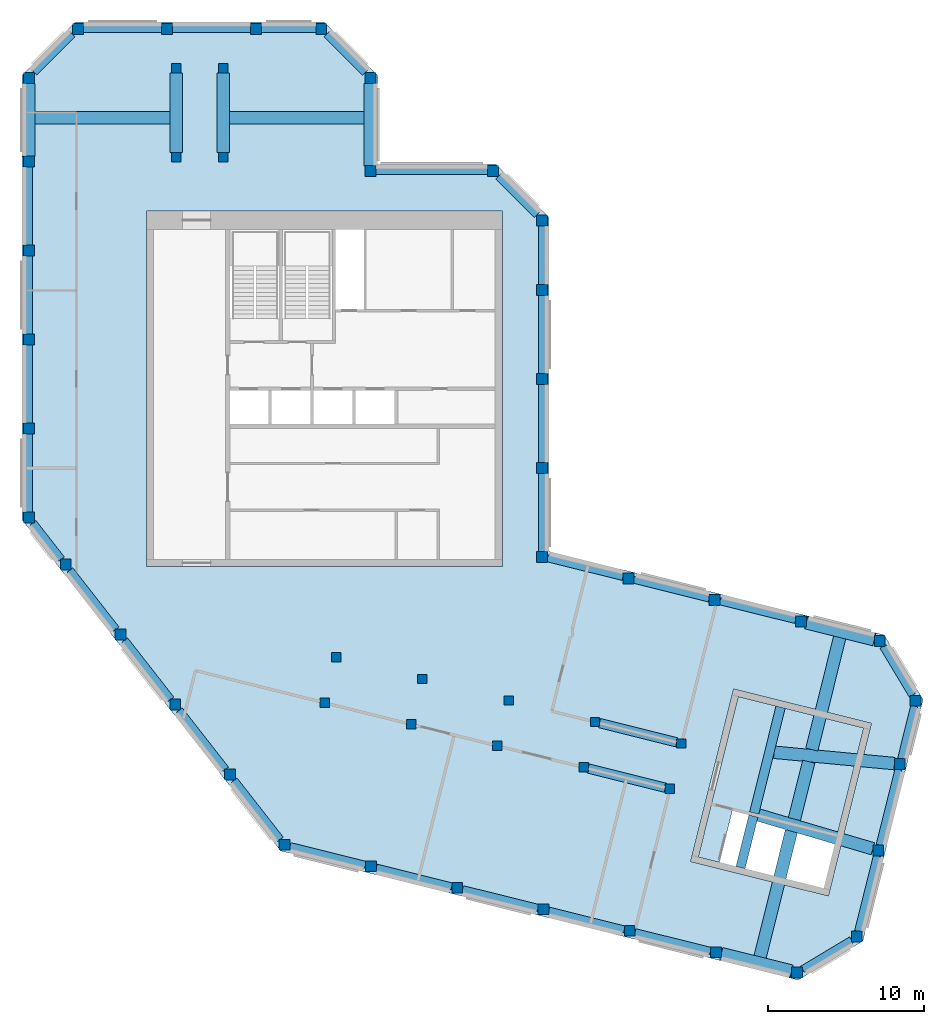
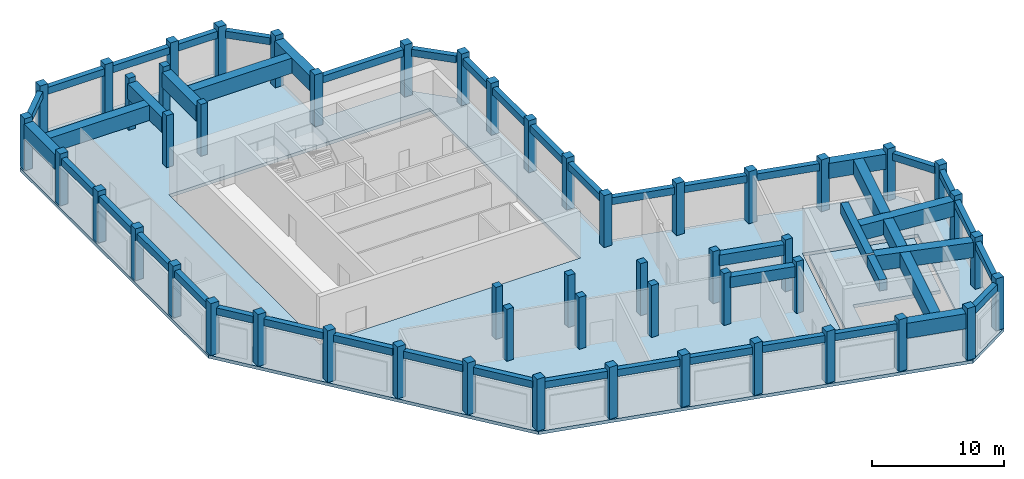
# One storey, part 1 of 5: 51 columns, 50 beams, 2 slabs.
"""IFC4 building model written with IfcOpenShell, lengths in metres."""

from ifc_helpers import new_model, si_unit, direction, frame, origin, origin_2d, place, context, subcontext, project, spatial, polyline, rectangle, outline, extrude, material, layer, layer_set, material_profile, profile_set, type_object, element, save


model = new_model("IFC4")

# Units and contexts
model_context = context("Model", 3, precision=1e-05, world=origin(), true_north=direction((0.0, 1.0)))
body_context = subcontext(model_context, "Body", "Model", "MODEL_VIEW")
ifc_project = project(units=[si_unit("LENGTHUNIT", "METRE"), si_unit("AREAUNIT", "SQUARE_METRE"), si_unit("VOLUMEUNIT", "CUBIC_METRE"), si_unit("PLANEANGLEUNIT", "RADIAN"), si_unit("MASSUNIT", "GRAM", prefix="KILO")], contexts=[model_context])

# Site, building, storey
site_placement = place(None, origin())
site = spatial("IfcSite", under=ifc_project, at=site_placement, CompositionType="ELEMENT")
building_placement = place(site_placement, origin())
building = spatial("IfcBuilding", under=site, at=building_placement, Name="Meshkara Civic Tower", CompositionType="ELEMENT")
storey_placement = place(building_placement, frame((0.0, 0.0, 405.0)))
storey = spatial("IfcBuildingStorey", under=building, at=storey_placement, Name="L93 Crown", CompositionType="ELEMENT", Elevation=405.0)

# Columns
ifc_material_1 = material(Name="Concrete C50", Category="concrete")
ifc_material_profile_1 = material_profile(ifc_material_1, rectangle(XDim=0.60009765625, YDim=0.60009765625, at=origin_2d()))
ifc_profile_set_1 = profile_set([ifc_material_profile_1], Name="Concrete C50")
column_type_1 = type_object("IfcColumnType", Name="Interior column RC 600x600 C50", PredefinedType="COLUMN", material=ifc_profile_set_1)
for number, where, z_axis, x_axis, name in (
    (1, (9.89990234375, 40.35009765625, 0.0), (0.0, 0.0, 1.0), (1.0, 0.0, 0.0), "Column SA1-04 L93 Crown"),
    (2, (9.89990234375, 46.050048828125, 0.0), (0.0, 0.0, 1.0), (1.0, 0.0, 0.0), "Column SA1-05 L93 Crown"),
    (3, (12.89990234375, 40.35009765625, 0.0), (0.0, 0.0, 1.0), (1.0, 0.0, 0.0), "Column SA2-04 L93 Crown"),
    (4, (12.89990234375, 46.050048828125, 0.0), (0.0, 0.0, 1.0), (1.0, 0.0, 0.0), "Column SA2-05 L93 Crown"),
    (5, (19.424072265625, 5.360107421875, 0.0), (0.0, 0.0, 1.0), (1.0, 0.0, 0.0), "Column SB1-00 L93 Crown"),
    (6, (24.9541015625, 3.98095703125, 0.0), (0.0, 0.0, 1.0), (1.0, 0.0, 0.0), "Column SB1-01 L93 Crown"),
    (7, (30.485107421875, 2.60205078125, 0.0), (0.0, 0.0, 1.0), (1.0, 0.0, 0.0), "Column SB1-02 L93 Crown"),
    (8, (36.01611328125, 1.222900390625, 0.0), (0.0, 0.0, 1.0), (1.0, 0.0, 0.0), "Column SB1-03 L93 Crown"),
    (9, (41.5458984375, -0.156005859375, 0.0), (0.0, 0.0, 1.0), (1.0, 0.0, 0.0), "Column SB1-04 L93 Crown"),
    (10, (20.14892578125, 8.27099609375, 0.0), (0.0, 0.0, 1.0), (1.0, 0.0, 0.0), "Column SB2-00 L93 Crown"),
    (11, (25.679931640625, 6.89208984375, 0.0), (0.0, 0.0, 1.0), (1.0, 0.0, 0.0), "Column SB2-01 L93 Crown"),
    (12, (31.2109375, 5.512939453125, 0.0), (0.0, 0.0, 1.0), (1.0, 0.0, 0.0), "Column SB2-02 L93 Crown"),
    (13, (36.741943359375, 4.134033203125, 0.0), (0.0, 0.0, 1.0), (1.0, 0.0, 0.0), "Column SB2-03 L93 Crown"),
    (14, (42.27197265625, 2.7548828125, 0.0), (0.0, 0.0, 1.0), (1.0, 0.0, 0.0), "Column SB2-04 L93 Crown"),
):
    element("IfcColumn", number, at=place(storey_placement, frame(where, z_axis=z_axis, x_axis=x_axis)), inside=storey, type_object=column_type_1, Name=name, PredefinedType="COLUMN", context=body_context, shape_type="SweptSolid", body=[
        extrude(rectangle(XDim=0.60009765625, YDim=0.60009765625, at=origin_2d()), origin(), (0.0, 0.0, 1.0), 4.800048828125),
    ])
ifc_material_2 = material(Name="Concrete C50", Category="concrete")
ifc_material_profile_2 = material_profile(ifc_material_2, rectangle(XDim=0.699951171875, YDim=0.699951171875, at=origin_2d()))
ifc_profile_set_2 = profile_set([ifc_material_profile_2], Name="Concrete C50")
column_type_2 = type_object("IfcColumnType", Name="Perimeter column RC 700x700 C50", PredefinedType="COLUMN", material=ifc_profile_set_2)
for number, where, z_axis, x_axis, name in (
    (15, (33.35009765625, 14.718994140625, 0.0), (0.0, 0.0, 1.0), (1.0, 0.0, 0.0), "Column HE00 L93 Crown"),
    (16, (33.35009765625, 20.4189453125, 0.0), (0.0, 0.0, 1.0), (1.0, 0.0, 0.0), "Column HE01 L93 Crown"),
    (17, (33.35009765625, 26.118896484375, 0.0), (0.0, 0.0, 1.0), (1.0, 0.0, 0.0), "Column HE02 L93 Crown"),
    (18, (33.35009765625, 31.819091796875, 0.0), (0.0, 0.0, 1.0), (1.0, 0.0, 0.0), "Column HE03 L93 Crown"),
    (19, (33.35009765625, 36.2939453125, 0.0), (0.0, 0.0, 1.0), (1.0, 0.0, 0.0), "Column HEE L93 Crown"),
    (20, (30.194091796875, 39.449951171875, 0.0), (0.0, 0.0, 1.0), (1.0, 0.0, 0.0), "Column HCeE L93 Crown"),
    (21, (22.35009765625, 39.449951171875, 0.0), (0.0, 0.0, 1.0), (1.0, 0.0, 0.0), "Column HN00 L93 Crown"),
    (22, (22.35009765625, 45.4140625, 0.0), (0.0, 0.0, 1.0), (1.0, 0.0, 0.0), "Column AEEP6 L93 Crown"),
    (23, (19.194091796875, 48.570068359375, 0.0), (0.0, 0.0, 1.0), (1.0, 0.0, 0.0), "Column ATiEP6 L93 Crown"),
    (24, (3.60595703125, 48.570068359375, 0.0), (0.0, 0.0, 1.0), (1.0, 0.0, 0.0), "Column AT00-P6 L93 Crown"),
    (25, (9.305908203125, 48.570068359375, 0.0), (0.0, 0.0, 1.0), (1.0, 0.0, 0.0), "Column AT01-P6 L93 Crown"),
    (26, (15.006103515625, 48.570068359375, 0.0), (0.0, 0.0, 1.0), (1.0, 0.0, 0.0), "Column AT02-P6 L93 Crown"),
    (27, (0.449951171875, 45.4140625, 0.0), (0.0, 0.0, 1.0), (1.0, 0.0, 0.0), "Column ATo00-P6 L93 Crown"),
    (28, (0.449951171875, 17.2548828125, 0.0), (0.0, 0.0, 1.0), (1.0, 0.0, 0.0), "Column AW00 L93 Crown"),
    (29, (0.449951171875, 22.955078125, 0.0), (0.0, 0.0, 1.0), (1.0, 0.0, 0.0), "Column AW01 L93 Crown"),
    (30, (0.449951171875, 28.655029296875, 0.0), (0.0, 0.0, 1.0), (1.0, 0.0, 0.0), "Column AW02 L93 Crown"),
    (31, (0.449951171875, 34.35498046875, 0.0), (0.0, 0.0, 1.0), (1.0, 0.0, 0.0), "Column AW03 L93 Crown"),
    (32, (0.449951171875, 40.054931640625, 0.0), (0.0, 0.0, 1.0), (1.0, 0.0, 0.0), "Column AW04 L93 Crown"),
    (33, (16.85107421875, -3.738037109375, 0.0), (0.0, 0.0, 1.0), (1.0, 0.0, 0.0), "Column BOW00 L93 Crown"),
    (34, (13.342041015625, 0.75390625, 0.0), (0.0, 0.0, 1.0), (1.0, 0.0, 0.0), "Column BOW01 L93 Crown"),
    (35, (9.8330078125, 5.2451171875, 0.0), (0.0, 0.0, 1.0), (1.0, 0.0, 0.0), "Column BOW02 L93 Crown"),
    (36, (6.322998046875, 9.737060546875, 0.0), (0.0, 0.0, 1.0), (1.0, 0.0, 0.0), "Column BOW03 L93 Crown"),
    (37, (2.81396484375, 14.22900390625, 0.0), (0.0, 0.0, 1.0), (1.0, 0.0, 0.0), "Column BOW04 L93 Crown"),
    (38, (22.382080078125, -5.116943359375, 0.0), (0.0, 0.0, 1.0), (1.0, 0.0, 0.0), "Column BS01 L93 Crown"),
    (39, (27.912109375, -6.49609375, 0.0), (0.0, 0.0, 1.0), (1.0, 0.0, 0.0), "Column BS02 L93 Crown"),
    (40, (33.443115234375, -7.875, 0.0), (0.0, 0.0, 1.0), (1.0, 0.0, 0.0), "Column BS03 L93 Crown"),
    (41, (38.97412109375, -9.25390625, 0.0), (0.0, 0.0, 1.0), (1.0, 0.0, 0.0), "Column BS04 L93 Crown"),
    (42, (44.50390625, -10.633056640625, 0.0), (0.0, 0.0, 1.0), (1.0, 0.0, 0.0), "Column BS05-P4 L93 Crown"),
    (43, (49.7041015625, -11.928955078125, 0.0), (0.0, 0.0, 1.0), (1.0, 0.0, 0.0), "Column BSEP6 L93 Crown"),
    (44, (53.530029296875, -9.6298828125, 0.0), (0.0, 0.0, 1.0), (1.0, 0.0, 0.0), "Column BToEP6 L93 Crown"),
    (45, (54.908935546875, -4.09912109375, 0.0), (0.0, 0.0, 1.0), (1.0, 0.0, 0.0), "Column BT01-P6 L93 Crown"),
    (46, (56.2880859375, 1.430908203125, 0.0), (0.0, 0.0, 1.0), (1.0, 0.0, 0.0), "Column BT02-P6 L93 Crown"),
    (47, (57.301025390625, 5.493896484375, 0.0), (0.0, 0.0, 1.0), (1.0, 0.0, 0.0), "Column BTEP6 L93 Crown"),
    (48, (55.001953125, 9.320068359375, 0.0), (0.0, 0.0, 1.0), (1.0, 0.0, 0.0), "Column BTi00-P6 L93 Crown"),
    (49, (38.881103515625, 13.340087890625, 0.0), (0.0, 0.0, 1.0), (1.0, 0.0, 0.0), "Column BN01 L93 Crown"),
    (50, (44.410888671875, 11.9609375, 0.0), (0.0, 0.0, 1.0), (1.0, 0.0, 0.0), "Column BN02 L93 Crown"),
    (51, (49.94189453125, 10.58203125, 0.0), (0.0, 0.0, 1.0), (1.0, 0.0, 0.0), "Column BN03 L93 Crown"),
):
    element("IfcColumn", number, at=place(storey_placement, frame(where, z_axis=z_axis, x_axis=x_axis)), inside=storey, type_object=column_type_2, Name=name, PredefinedType="COLUMN", context=body_context, shape_type="SweptSolid", body=[
        extrude(rectangle(XDim=0.699951171875, YDim=0.699951171875, at=origin_2d()), origin(), (0.0, 0.0, 1.0), 4.800048828125),
    ])

# Beams
ifc_material_3 = material(Name="Concrete C50", Category="concrete")
ifc_material_profile_3 = material_profile(ifc_material_3, rectangle(XDim=0.60009765625, YDim=1.0, at=origin_2d()))
ifc_profile_set_3 = profile_set([ifc_material_profile_3], Name="Concrete C50")
beam_type_1 = type_object("IfcBeamType", Name="Core transfer beam RC 600x1000 C50", PredefinedType="BEAM", material=ifc_profile_set_3)
for number, where, z_axis, x_axis, name in (
    (52, (36.306884765625, 1.14990234375, 3.85009765625), (0.970330899749, -0.24178077879, 0.0), (0.24178077879, 0.970330899749, 0.0), "Transfer beam B L94 Crown core-side wall"),
    (53, (37.032958984375, 4.06103515625, 3.85009765625), (0.970319666446, -0.241825856576, 0.0), (0.241825856576, 0.970319666446, 0.0), "Transfer beam B L94 Crown core-side wall"),
):
    element("IfcBeam", number, at=place(storey_placement, frame(where, z_axis=z_axis, x_axis=x_axis)), inside=storey, type_object=beam_type_1, Name=name, PredefinedType="BEAM", context=body_context, shape_type="SweptSolid", body=[
        extrude(rectangle(XDim=0.60009765625, YDim=1.0, at=origin_2d()), origin(), (0.0, 0.0, 1.0), 5.099365234375),
    ])
beam_1_placement = place(storey_placement, frame((46.080078125, -5.201904296875, 3.85009765625), z_axis=(0.242062512607, 0.970260655695, 0.0), x_axis=(-0.970260655695, 0.242062512607, 0.0)))
element("IfcBeam", 54, at=beam_1_placement, inside=storey, type_object=beam_type_1, Name="Transfer beam B L94 Crown tip-side wall", PredefinedType="BEAM", context=body_context, shape_type="SweptSolid", body=[
    extrude(rectangle(XDim=0.60009765625, YDim=1.0, at=origin_2d()), origin(), (0.0, 0.0, 1.0), 3.39990234375),
])
beam_2_placement = place(storey_placement, frame((46.950927734375, -1.708984375, 3.85009765625), z_axis=(0.242010385333, 0.970273659022, 0.0), x_axis=(-0.970273659022, 0.242010385333, 0.0)))
element("IfcBeam", 55, at=beam_2_placement, inside=storey, type_object=beam_type_1, Name="Transfer beam B L94 Crown tip-side wall", PredefinedType="BEAM", context=body_context, shape_type="SweptSolid", body=[
    extrude(rectangle(XDim=0.60009765625, YDim=1.0, at=origin_2d()), origin(), (0.0, 0.0, 1.0), 7.0),
])
ifc_material_4 = material(Name="Concrete C50", Category="concrete")
ifc_material_profile_4 = material_profile(ifc_material_4, rectangle(XDim=0.449951171875, YDim=0.64990234375, at=origin_2d()))
ifc_profile_set_4 = profile_set([ifc_material_profile_4], Name="Concrete C50")
beam_type_2 = type_object("IfcBeamType", Name="Spandrel beam RC 450x650 C50", PredefinedType="BEAM", material=ifc_profile_set_4)
beam_3_placement = place(storey_placement, frame((49.596923828125, 10.668212890625, 4.02490234375), z_axis=(-0.970303486882, 0.241890767382, 0.0), x_axis=(-0.241890767382, -0.970303486882, 0.0)))
element("IfcBeam", 56, at=beam_3_placement, inside=storey, type_object=beam_type_2, Name="Spandrel beam BN02-BN03", PredefinedType="BEAM", context=body_context, shape_type="SweptSolid", body=[
    extrude(rectangle(XDim=0.449951171875, YDim=0.64990234375, at=origin_2d()), origin(), (0.0, 0.0, 1.0), 4.989013671875),
])
beam_4_placement = place(storey_placement, frame((44.06591796875, 12.047119140625, 4.02490234375), z_axis=(-0.970292030407, 0.241936718437, 0.0), x_axis=(-0.241936718437, -0.970292030407, 0.0)))
element("IfcBeam", 57, at=beam_4_placement, inside=storey, type_object=beam_type_2, Name="Spandrel beam BN01-BN02", PredefinedType="BEAM", context=body_context, shape_type="SweptSolid", body=[
    extrude(rectangle(XDim=0.449951171875, YDim=0.64990234375, at=origin_2d()), origin(), (0.0, 0.0, 1.0), 4.988037109375),
])
beam_5_placement = place(storey_placement, frame((38.535888671875, 13.426025390625, 4.02490234375), z_axis=(-0.970303486882, 0.241890767382, 0.0), x_axis=(-0.241890767382, -0.970303486882, 0.0)))
element("IfcBeam", 58, at=beam_5_placement, inside=storey, type_object=beam_type_2, Name="Spandrel beam BN01-HE00", PredefinedType="BEAM", context=body_context, shape_type="SweptSolid", body=[
    extrude(rectangle(XDim=0.449951171875, YDim=0.64990234375, at=origin_2d()), origin(), (0.0, 0.0, 1.0), 4.989013671875),
])
for number, where, z_axis, x_axis, name in (
    (59, (33.35009765625, 15.06396484375, 4.02490234375), (0.0, 1.0, 0.0), (-1.0, 0.0, 0.0), "Spandrel beam HE00-HE01"),
    (60, (33.35009765625, 20.763916015625, 4.02490234375), (0.0, 1.0, 0.0), (-1.0, 0.0, 0.0), "Spandrel beam HE01-HE02"),
    (61, (33.35009765625, 26.464111328125, 4.02490234375), (0.0, 1.0, 0.0), (-1.0, 0.0, 0.0), "Spandrel beam HE02-HE03"),
):
    element("IfcBeam", number, at=place(storey_placement, frame(where, z_axis=z_axis, x_axis=x_axis)), inside=storey, type_object=beam_type_2, Name=name, PredefinedType="BEAM", context=body_context, shape_type="SweptSolid", body=[
        extrude(rectangle(XDim=0.449951171875, YDim=0.64990234375, at=origin_2d()), origin(), (0.0, 0.0, 1.0), 5.010009765625),
    ])
beam_6_placement = place(storey_placement, frame((33.35009765625, 32.1640625, 4.02490234375), z_axis=(0.0, 1.0, 0.0), x_axis=(-1.0, 0.0, 0.0)))
element("IfcBeam", 62, at=beam_6_placement, inside=storey, type_object=beam_type_2, Name="Spandrel beam HE03-HEE", PredefinedType="BEAM", context=body_context, shape_type="SweptSolid", body=[
    extrude(rectangle(XDim=0.449951171875, YDim=0.64990234375, at=origin_2d()), origin(), (0.0, 0.0, 1.0), 3.784912109375),
])
beam_7_placement = place(storey_placement, frame((33.00341796875, 36.640380859375, 4.02490234375), z_axis=(-0.707071735129, 0.707141825507, 0.0), x_axis=(-0.707141825507, -0.707071735129, 0.0)))
element("IfcBeam", 63, at=beam_7_placement, inside=storey, type_object=beam_type_2, Name="Spandrel beam HCeE-HEE", PredefinedType="BEAM", context=body_context, shape_type="SweptSolid", body=[
    extrude(rectangle(XDim=0.449951171875, YDim=0.64990234375, at=origin_2d()), origin(), (0.0, 0.0, 1.0), 3.483154296875),
])
beam_8_placement = place(storey_placement, frame((29.84912109375, 39.449951171875, 4.02490234375), z_axis=(-1.0, 0.0, 0.0), x_axis=(0.0, -1.0, 0.0)))
element("IfcBeam", 64, at=beam_8_placement, inside=storey, type_object=beam_type_2, Name="Spandrel beam HCeE-HN00", PredefinedType="BEAM", context=body_context, shape_type="SweptSolid", body=[
    extrude(rectangle(XDim=0.449951171875, YDim=0.64990234375, at=origin_2d()), origin(), (0.0, 0.0, 1.0), 7.154052734375),
])
beam_9_placement = place(storey_placement, frame((22.00341796875, 45.760498046875, 4.02490234375), z_axis=(-0.707106781187, 0.707106781187, 0.0), x_axis=(-0.707106781187, -0.707106781187, 0.0)))
element("IfcBeam", 65, at=beam_9_placement, inside=storey, type_object=beam_type_2, Name="Spandrel beam AEEP6-ATiEP6", PredefinedType="BEAM", context=body_context, shape_type="SweptSolid", body=[
    extrude(rectangle(XDim=0.449951171875, YDim=0.64990234375, at=origin_2d()), origin(), (0.0, 0.0, 1.0), 3.483154296875),
])
beam_10_placement = place(storey_placement, frame((18.84912109375, 48.570068359375, 4.02490234375), z_axis=(-1.0, 0.0, 0.0), x_axis=(0.0, -1.0, 0.0)))
element("IfcBeam", 66, at=beam_10_placement, inside=storey, type_object=beam_type_2, Name="Spandrel beam AT02-P6-ATiEP6", PredefinedType="BEAM", context=body_context, shape_type="SweptSolid", body=[
    extrude(rectangle(XDim=0.449951171875, YDim=0.64990234375, at=origin_2d()), origin(), (0.0, 0.0, 1.0), 3.498046875),
])
for number, where, z_axis, x_axis, name in (
    (67, (14.660888671875, 48.570068359375, 4.02490234375), (-1.0, 0.0, 0.0), (0.0, -1.0, 0.0), "Spandrel beam AT01-P6-AT02-P6"),
    (68, (8.9609375, 48.570068359375, 4.02490234375), (-1.0, 0.0, 0.0), (0.0, -1.0, 0.0), "Spandrel beam AT00-P6-AT01-P6"),
):
    element("IfcBeam", number, at=place(storey_placement, frame(where, z_axis=z_axis, x_axis=x_axis)), inside=storey, type_object=beam_type_2, Name=name, PredefinedType="BEAM", context=body_context, shape_type="SweptSolid", body=[
        extrude(rectangle(XDim=0.449951171875, YDim=0.64990234375, at=origin_2d()), origin(), (0.0, 0.0, 1.0), 5.010009765625),
    ])
beam_11_placement = place(storey_placement, frame((3.259521484375, 48.223388671875, 4.02490234375), z_axis=(-0.707141825507, -0.707071735129, 0.0), x_axis=(0.707071735129, -0.707141825507, 0.0)))
element("IfcBeam", 69, at=beam_11_placement, inside=storey, type_object=beam_type_2, Name="Spandrel beam AT00-P6-ATo00-P6", PredefinedType="BEAM", context=body_context, shape_type="SweptSolid", body=[
    extrude(rectangle(XDim=0.449951171875, YDim=0.64990234375, at=origin_2d()), origin(), (0.0, 0.0, 1.0), 3.483154296875),
])
for number, where, z_axis, x_axis, name in (
    (70, (0.449951171875, 39.7099609375, 4.02490234375), (0.0, -1.0, 0.0), (1.0, 0.0, 0.0), "Spandrel beam AW03-AW04"),
    (71, (0.449951171875, 34.010009765625, 4.02490234375), (0.0, -1.0, 0.0), (1.0, 0.0, 0.0), "Spandrel beam AW02-AW03"),
    (72, (0.449951171875, 28.31005859375, 4.02490234375), (0.0, -1.0, 0.0), (1.0, 0.0, 0.0), "Spandrel beam AW01-AW02"),
    (73, (0.449951171875, 22.610107421875, 4.02490234375), (0.0, -1.0, 0.0), (1.0, 0.0, 0.0), "Spandrel beam AW00-AW01"),
):
    element("IfcBeam", number, at=place(storey_placement, frame(where, z_axis=z_axis, x_axis=x_axis)), inside=storey, type_object=beam_type_2, Name=name, PredefinedType="BEAM", context=body_context, shape_type="SweptSolid", body=[
        extrude(rectangle(XDim=0.449951171875, YDim=0.64990234375, at=origin_2d()), origin(), (0.0, 0.0, 1.0), 5.010009765625),
    ])
beam_12_placement = place(storey_placement, frame((0.720458984375, 16.908935546875, 4.02490234375), z_axis=(0.615645641735, -0.788023123908, 0.0), x_axis=(0.788023123908, 0.615645641735, 0.0)))
element("IfcBeam", 74, at=beam_12_placement, inside=storey, type_object=beam_type_2, Name="Spandrel beam AW00-BOW04", PredefinedType="BEAM", context=body_context, shape_type="SweptSolid", body=[
    extrude(rectangle(XDim=0.449951171875, YDim=0.64990234375, at=origin_2d()), origin(), (0.0, 0.0, 1.0), 2.96142578125),
])
beam_13_placement = place(storey_placement, frame((3.084228515625, 13.8828125, 4.02490234375), z_axis=(0.615632251353, -0.788033585004, 0.0), x_axis=(0.788033585004, 0.615632251353, 0.0)))
element("IfcBeam", 75, at=beam_13_placement, inside=storey, type_object=beam_type_2, Name="Spandrel beam BOW03-BOW04", PredefinedType="BEAM", context=body_context, shape_type="SweptSolid", body=[
    extrude(rectangle(XDim=0.449951171875, YDim=0.64990234375, at=origin_2d()), origin(), (0.0, 0.0, 1.0), 4.82177734375),
])
beam_14_placement = place(storey_placement, frame((6.593505859375, 9.390869140625, 4.02490234375), z_axis=(0.615695129878, -0.787984458632, 0.0), x_axis=(0.787984458632, 0.615695129878, 0.0)))
element("IfcBeam", 76, at=beam_14_placement, inside=storey, type_object=beam_type_2, Name="Spandrel beam BOW02-BOW03", PredefinedType="BEAM", context=body_context, shape_type="SweptSolid", body=[
    extrude(rectangle(XDim=0.449951171875, YDim=0.64990234375, at=origin_2d()), origin(), (0.0, 0.0, 1.0), 4.822265625),
])
beam_15_placement = place(storey_placement, frame((10.103515625, 4.89892578125, 4.02490234375), z_axis=(0.615667628032, -0.788005946547, 0.0), x_axis=(0.788005946547, 0.615667628032, 0.0)))
element("IfcBeam", 77, at=beam_15_placement, inside=storey, type_object=beam_type_2, Name="Spandrel beam BOW01-BOW02", PredefinedType="BEAM", context=body_context, shape_type="SweptSolid", body=[
    extrude(rectangle(XDim=0.449951171875, YDim=0.64990234375, at=origin_2d()), origin(), (0.0, 0.0, 1.0), 4.82080078125),
])
beam_16_placement = place(storey_placement, frame((13.6123046875, 0.407958984375, 4.02490234375), z_axis=(0.615632251353, -0.788033585004, 0.0), x_axis=(0.788033585004, 0.615632251353, 0.0)))
element("IfcBeam", 78, at=beam_16_placement, inside=storey, type_object=beam_type_2, Name="Spandrel beam BOW00-BOW01", PredefinedType="BEAM", context=body_context, shape_type="SweptSolid", body=[
    extrude(rectangle(XDim=0.449951171875, YDim=0.64990234375, at=origin_2d()), origin(), (0.0, 0.0, 1.0), 4.82177734375),
])
beam_17_placement = place(storey_placement, frame((17.196044921875, -3.82421875, 4.02490234375), z_axis=(0.970303486882, -0.241890767382, 0.0), x_axis=(0.241890767382, 0.970303486882, 0.0)))
element("IfcBeam", 79, at=beam_17_placement, inside=storey, type_object=beam_type_2, Name="Spandrel beam BOW00-BS01", PredefinedType="BEAM", context=body_context, shape_type="SweptSolid", body=[
    extrude(rectangle(XDim=0.449951171875, YDim=0.64990234375, at=origin_2d()), origin(), (0.0, 0.0, 1.0), 4.989013671875),
])
beam_18_placement = place(storey_placement, frame((22.72705078125, -5.203125, 4.02490234375), z_axis=(0.970292030407, -0.241936718437, 0.0), x_axis=(0.241936718437, 0.970292030407, 0.0)))
element("IfcBeam", 80, at=beam_18_placement, inside=storey, type_object=beam_type_2, Name="Spandrel beam BS01-BS02", PredefinedType="BEAM", context=body_context, shape_type="SweptSolid", body=[
    extrude(rectangle(XDim=0.449951171875, YDim=0.64990234375, at=origin_2d()), origin(), (0.0, 0.0, 1.0), 4.988037109375),
])
for number, where, z_axis, x_axis, name in (
    (81, (28.257080078125, -6.58203125, 4.02490234375), (0.970303486882, -0.241890767382, 0.0), (0.241890767382, 0.970303486882, 0.0), "Spandrel beam BS02-BS03"),
    (82, (33.7880859375, -7.961181640625, 4.02490234375), (0.970303486882, -0.241890767382, 0.0), (0.241890767382, 0.970303486882, 0.0), "Spandrel beam BS03-BS04"),
):
    element("IfcBeam", number, at=place(storey_placement, frame(where, z_axis=z_axis, x_axis=x_axis)), inside=storey, type_object=beam_type_2, Name=name, PredefinedType="BEAM", context=body_context, shape_type="SweptSolid", body=[
        extrude(rectangle(XDim=0.449951171875, YDim=0.64990234375, at=origin_2d()), origin(), (0.0, 0.0, 1.0), 4.989013671875),
    ])
beam_19_placement = place(storey_placement, frame((39.319091796875, -9.340087890625, 4.02490234375), z_axis=(0.970292030407, -0.241936718437, 0.0), x_axis=(0.241936718437, 0.970292030407, 0.0)))
element("IfcBeam", 83, at=beam_19_placement, inside=storey, type_object=beam_type_2, Name="Spandrel beam BS04-BS05-P4", PredefinedType="BEAM", context=body_context, shape_type="SweptSolid", body=[
    extrude(rectangle(XDim=0.449951171875, YDim=0.64990234375, at=origin_2d()), origin(), (0.0, 0.0, 1.0), 4.988037109375),
])
beam_20_placement = place(storey_placement, frame((50.0498046875, -11.72119140625, 4.02490234375), z_axis=(0.857151074775, 0.515065078424, 0.0), x_axis=(-0.515065078424, 0.857151074775, 0.0)))
element("IfcBeam", 84, at=beam_20_placement, inside=storey, type_object=beam_type_2, Name="Spandrel beam BSEP6-BToEP6", PredefinedType="BEAM", context=body_context, shape_type="SweptSolid", body=[
    extrude(rectangle(XDim=0.449951171875, YDim=0.64990234375, at=origin_2d()), origin(), (0.0, 0.0, 1.0), 3.656982421875),
])
beam_21_placement = place(storey_placement, frame((53.6162109375, -9.284912109375, 4.02490234375), z_axis=(0.241890767382, 0.970303486882, 0.0), x_axis=(-0.970303486882, 0.241890767382, 0.0)))
element("IfcBeam", 85, at=beam_21_placement, inside=storey, type_object=beam_type_2, Name="Spandrel beam BT01-P6-BToEP6", PredefinedType="BEAM", context=body_context, shape_type="SweptSolid", body=[
    extrude(rectangle(XDim=0.449951171875, YDim=0.64990234375, at=origin_2d()), origin(), (0.0, 0.0, 1.0), 4.989013671875),
])
beam_22_placement = place(storey_placement, frame((54.9951171875, -3.75390625, 4.02490234375), z_axis=(0.241936718437, 0.970292030407, 0.0), x_axis=(-0.970292030407, 0.241936718437, 0.0)))
element("IfcBeam", 86, at=beam_22_placement, inside=storey, type_object=beam_type_2, Name="Spandrel beam BT01-P6-BT02-P6", PredefinedType="BEAM", context=body_context, shape_type="SweptSolid", body=[
    extrude(rectangle(XDim=0.449951171875, YDim=0.64990234375, at=origin_2d()), origin(), (0.0, 0.0, 1.0), 4.988037109375),
])
beam_23_placement = place(storey_placement, frame((56.3740234375, 1.776123046875, 4.02490234375), z_axis=(0.241891057525, 0.970303414551, 0.0), x_axis=(-0.970303414551, 0.241891057525, 0.0)))
element("IfcBeam", 87, at=beam_23_placement, inside=storey, type_object=beam_type_2, Name="Spandrel beam BT02-P6-BTEP6", PredefinedType="BEAM", context=body_context, shape_type="SweptSolid", body=[
    extrude(rectangle(XDim=0.449951171875, YDim=0.64990234375, at=origin_2d()), origin(), (0.0, 0.0, 1.0), 3.47607421875),
])
beam_24_placement = place(storey_placement, frame((57.09326171875, 5.839599609375, 4.02490234375), z_axis=(-0.51503560536, 0.857168784553, 0.0), x_axis=(-0.857168784553, -0.51503560536, 0.0)))
element("IfcBeam", 88, at=beam_24_placement, inside=storey, type_object=beam_type_2, Name="Spandrel beam BTEP6-BTi00-P6", PredefinedType="BEAM", context=body_context, shape_type="SweptSolid", body=[
    extrude(rectangle(XDim=0.449951171875, YDim=0.64990234375, at=origin_2d()), origin(), (0.0, 0.0, 1.0), 3.6572265625),
])
ifc_material_5 = material(Name="Concrete C70", Category="concrete")
ifc_material_profile_5 = material_profile(ifc_material_5, rectangle(XDim=0.800048828125, YDim=1.39990234375, at=origin_2d()))
ifc_profile_set_5 = profile_set([ifc_material_profile_5], Name="Concrete C70")
beam_type_3 = type_object("IfcBeamType", Name="Transfer girder RC 800x1400 C70", PredefinedType="BEAM", material=ifc_profile_set_5)
beam_25_placement = place(storey_placement, frame((22.35009765625, 39.794921875, 3.64990234375), z_axis=(0.0, 1.0, 0.0), x_axis=(-1.0, 0.0, 0.0)))
element("IfcBeam", 89, at=beam_25_placement, inside=storey, type_object=beam_type_3, Name="Transfer girder AEEP6-HN00", PredefinedType="BEAM", context=body_context, shape_type="SweptSolid", body=[
    extrude(rectangle(XDim=0.800048828125, YDim=1.39990234375, at=origin_2d()), origin(), (0.0, 0.0, 1.0), 5.274169921875),
])
beam_26_placement = place(storey_placement, frame((0.449951171875, 40.39990234375, 3.64990234375), z_axis=(0.0, 1.0, 0.0), x_axis=(-1.0, 0.0, 0.0)))
element("IfcBeam", 90, at=beam_26_placement, inside=storey, type_object=beam_type_3, Name="Transfer girder ATo00-P6-AW04", PredefinedType="BEAM", context=body_context, shape_type="SweptSolid", body=[
    extrude(rectangle(XDim=0.800048828125, YDim=1.39990234375, at=origin_2d()), origin(), (0.0, 0.0, 1.0), 4.669189453125),
])
for number, where, z_axis, x_axis, name in (
    (91, (9.89990234375, 40.64501953125, 3.64990234375), (0.0, 1.0, 0.0), (-1.0, 0.0, 0.0), "Transfer girder SA1-04-SA1-05"),
    (92, (12.89990234375, 40.64501953125, 3.64990234375), (0.0, 1.0, 0.0), (-1.0, 0.0, 0.0), "Transfer girder SA2-04-SA2-05"),
):
    element("IfcBeam", number, at=place(storey_placement, frame(where, z_axis=z_axis, x_axis=x_axis)), inside=storey, type_object=beam_type_3, Name=name, PredefinedType="BEAM", context=body_context, shape_type="SweptSolid", body=[
        extrude(rectangle(XDim=0.800048828125, YDim=1.39990234375, at=origin_2d()), origin(), (0.0, 0.0, 1.0), 5.10986328125),
    ])
for number, where, z_axis, x_axis, name in (
    (93, (0.85009765625, 42.8701171875, 3.64990234375), (1.0, 0.0, 0.0), (0.0, 1.0, 0.0), "Transfer girder tip A L94 Crown"),
    (94, (13.300048828125, 42.8701171875, 3.64990234375), (1.0, 0.0, 0.0), (0.0, 1.0, 0.0), "Transfer girder tip A L94 Crown"),
):
    element("IfcBeam", number, at=place(storey_placement, frame(where, z_axis=z_axis, x_axis=x_axis)), inside=storey, type_object=beam_type_3, Name=name, PredefinedType="BEAM", context=body_context, shape_type="SweptSolid", body=[
        extrude(rectangle(XDim=0.800048828125, YDim=1.39990234375, at=origin_2d()), origin(), (0.0, 0.0, 1.0), 8.64990234375),
    ])
beam_27_placement = place(storey_placement, frame((50.287109375, 10.495849609375, 3.64990234375), z_axis=(0.970279460943, -0.241987122948, 0.0), x_axis=(0.241987122948, 0.970279460943, 0.0)))
element("IfcBeam", 95, at=beam_27_placement, inside=storey, type_object=beam_type_3, Name="Transfer girder BN03-BTi00-P6", PredefinedType="BEAM", context=body_context, shape_type="SweptSolid", body=[
    extrude(rectangle(XDim=0.800048828125, YDim=1.39990234375, at=origin_2d()), origin(), (0.0, 0.0, 1.0), 4.503662109375),
])
beam_28_placement = place(storey_placement, frame((44.84912109375, -10.718994140625, 3.64990234375), z_axis=(0.970315289875, -0.24184341677, 0.0), x_axis=(0.24184341677, 0.970315289875, 0.0)))
element("IfcBeam", 96, at=beam_28_placement, inside=storey, type_object=beam_type_3, Name="Transfer girder BS05-P4-BSEP6", PredefinedType="BEAM", context=body_context, shape_type="SweptSolid", body=[
    extrude(rectangle(XDim=0.800048828125, YDim=1.39990234375, at=origin_2d()), origin(), (0.0, 0.0, 1.0), 4.647705078125),
])
beam_29_placement = place(storey_placement, frame((47.2294921875, -1.8330078125, 3.64990234375), z_axis=(0.959119584948, -0.283001098531, 0.0), x_axis=(0.283001098531, 0.959119584948, 0.0)))
element("IfcBeam", 97, at=beam_29_placement, inside=storey, type_object=beam_type_3, Name="Transfer girder BT01-P6-SB1-04", PredefinedType="BEAM", context=body_context, shape_type="SweptSolid", body=[
    extrude(rectangle(XDim=0.800048828125, YDim=1.39990234375, at=origin_2d()), origin(), (0.0, 0.0, 1.0), 7.646728515625),
])
beam_30_placement = place(storey_placement, frame((48.23291015625, 2.19189453125, 3.64990234375), z_axis=(0.995568706249, -0.094036966871, 0.0), x_axis=(0.094036966871, 0.995568706249, 0.0)))
element("IfcBeam", 98, at=beam_30_placement, inside=storey, type_object=beam_type_3, Name="Transfer girder BT02-P6-SB2-04", PredefinedType="BEAM", context=body_context, shape_type="SweptSolid", body=[
    extrude(rectangle(XDim=0.800048828125, YDim=1.39990234375, at=origin_2d()), origin(), (0.0, 0.0, 1.0), 7.74462890625),
])
beam_31_placement = place(storey_placement, frame((47.33203125, -10.925537109375, 3.64990234375), z_axis=(0.241940353343, 0.970291124057, 0.0), x_axis=(-0.970291124057, 0.241940353343, 0.0)))
element("IfcBeam", 99, at=beam_31_placement, inside=storey, type_object=beam_type_3, Name="Transfer girder tip B L94 Crown", PredefinedType="BEAM", context=body_context, shape_type="SweptSolid", body=[
    extrude(rectangle(XDim=0.800048828125, YDim=1.39990234375, at=origin_2d()), origin(), (0.0, 0.0, 1.0), 8.2998046875),
])
beam_32_placement = place(storey_placement, frame((49.53369140625, -2.09619140625, 3.64990234375), z_axis=(0.241884519028, 0.970305044537, 0.0), x_axis=(-0.970305044537, 0.241884519028, 0.0)))
element("IfcBeam", 100, at=beam_32_placement, inside=storey, type_object=beam_type_3, Name="Transfer girder tip B L94 Crown", PredefinedType="BEAM", context=body_context, shape_type="SweptSolid", body=[
    extrude(rectangle(XDim=0.800048828125, YDim=1.39990234375, at=origin_2d()), origin(), (0.0, 0.0, 1.0), 3.7939453125),
])
beam_33_placement = place(storey_placement, frame((50.64501953125, 2.361328125, 3.64990234375), z_axis=(0.241922833976, 0.970295492312, 0.0), x_axis=(-0.970295492312, 0.241922833976, 0.0)))
element("IfcBeam", 101, at=beam_33_placement, inside=storey, type_object=beam_type_3, Name="Transfer girder tip B L94 Crown", PredefinedType="BEAM", context=body_context, shape_type="SweptSolid", body=[
    extrude(rectangle(XDim=0.800048828125, YDim=1.39990234375, at=origin_2d()), origin(), (0.0, 0.0, 1.0), 7.40625),
])

# Slabs
ifc_material_6 = material(Name="Concrete C40/50", Category="concrete")
ifc_layer_1 = layer(ifc_material_6, 0.300048828125)
ifc_layer_set_1 = layer_set([ifc_layer_1], Name="Core floor slab 300 C40/50")
slab_type_1 = type_object("IfcSlabType", Name="Core floor slab 300 C40/50", PredefinedType="FLOOR", material=ifc_layer_set_1)
slab_1_placement = place(storey_placement, frame((0.0, 0.0, -0.300048828125)))
element("IfcSlab", 102, at=slab_1_placement, inside=storey, type_object=slab_type_1, Name="Core floor EB", PredefinedType="FLOOR", context=body_context, shape_type="SweptSolid", body=[
    extrude(outline(polyline([(45.927734375, 5.76025390625), (53.981201171875, 3.752197265625), (52.239501953125, -3.23388671875), (45.5458984375, -1.56494140625), (44.72314453125, -4.864013671875), (43.36328125, -4.52490234375), (45.927734375, 5.76025390625)])), origin(), (0.0, 0.0, 1.0), 0.300048828125),
])
ifc_material_7 = material(Name="Concrete C50", Category="concrete")
ifc_layer_2 = layer(ifc_material_7, 0.300048828125)
ifc_layer_set_2 = layer_set([ifc_layer_2], Name="Post-tensioned flat slab 300 C50")
slab_type_2 = type_object("IfcSlabType", Name="Post-tensioned flat slab 300 C50", PredefinedType="FLOOR", material=ifc_layer_set_2)
slab_2_placement = place(storey_placement, frame((0.0, 0.0, -0.300048828125)))
element("IfcSlab", 103, at=slab_2_placement, inside=storey, type_object=slab_type_2, Name="Post-tensioned flat slab L93 Crown", PredefinedType="FLOOR", context=body_context, shape_type="SweptSolid", body=[
    extrude(outline(polyline([(53.922119140625, -9.919921875), (49.77587890625, -12.410888671875), (16.592041015625, -4.136962890625), (0.0, 17.10009765625), (0.0, 45.60009765625), (3.419921875, 49.02001953125), (19.3798828125, 49.02001953125), (22.800048828125, 45.60009765625), (22.800048828125, 39.89990234375), (30.3798828125, 39.89990234375), (33.800048828125, 36.47998046875), (33.800048828125, 15.071044921875), (55.2919921875, 9.7119140625), (57.782958984375, 5.56591796875), (53.922119140625, -9.919921875)]), holes=[polyline([(51.7080078125, -7.01806640625), (54.466064453125, 4.0439453125), (45.635986328125, 6.2451171875), (42.87890625, -4.81591796875), (51.7080078125, -7.01806640625)]), polyline([(30.800048828125, 36.89990234375), (8.0, 36.89990234375), (8.0, 14.10009765625), (30.800048828125, 14.10009765625), (30.800048828125, 36.89990234375)])]), origin(), (0.0, 0.0, 1.0), 0.300048828125),
])

save(model, "model.ifc")
